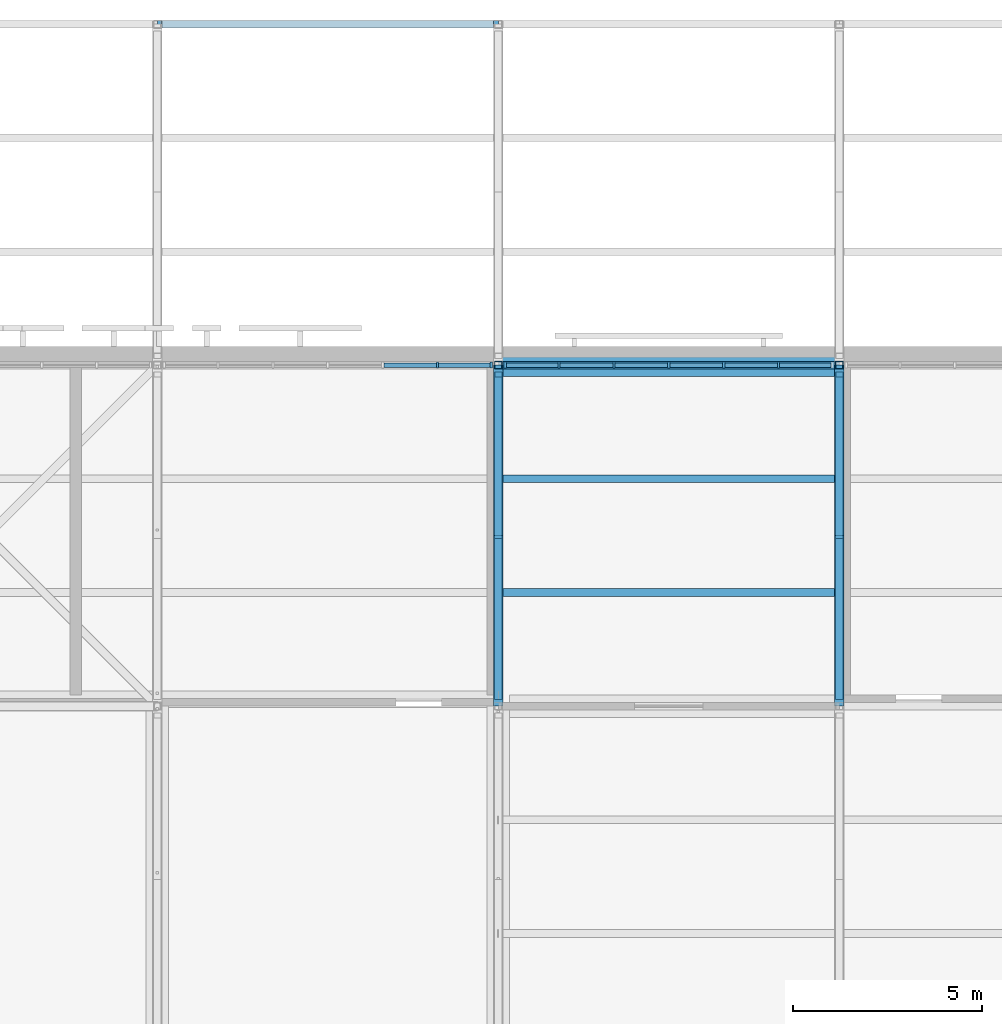
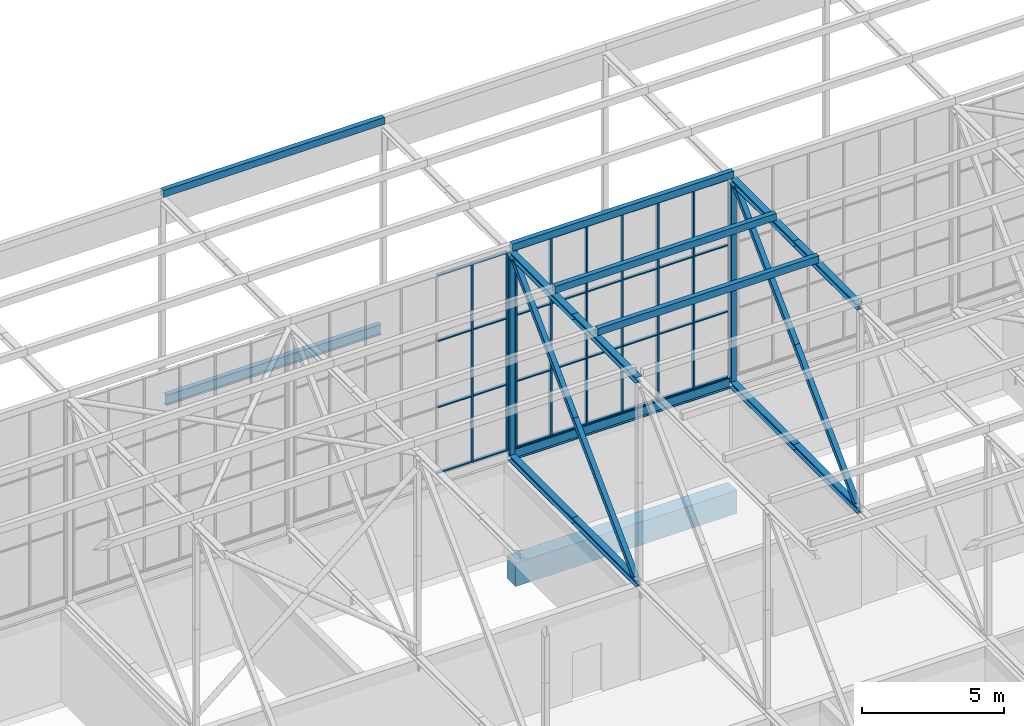
# One storey, part 131 of 646: 60 members, 3 beams, 2 elements without a shape of their own.
"""IFC4 building model written with IfcOpenShell, lengths in metres."""

from ifc_helpers import new_model, si_unit, direction, frame, origin, origin_2d, place, context, subcontext, project, spatial, rectangle, hollow_rectangle, i_section, extrude, material, material_profile, profile_set, type_object, element, aggregate, save


model = new_model("IFC4")

# Units and contexts
model_context = context("Model", 3, precision=1e-05, world=origin(), true_north=direction((0.0, 1.0)))
body_context = subcontext(model_context, "Body", "Model", "MODEL_VIEW")
ifc_project = project(units=[si_unit("LENGTHUNIT", "METRE"), si_unit("AREAUNIT", "SQUARE_METRE"), si_unit("VOLUMEUNIT", "CUBIC_METRE"), si_unit("PLANEANGLEUNIT", "RADIAN"), si_unit("MASSUNIT", "GRAM", prefix="KILO")], contexts=[model_context])

# Site, building, storey
site_placement = place(None, origin())
site = spatial("IfcSite", under=ifc_project, at=site_placement, CompositionType="ELEMENT")
building_placement = place(site_placement, origin())
building = spatial("IfcBuilding", under=site, at=building_placement, Name="Silverbay Arena", CompositionType="ELEMENT")
storey_placement = place(building_placement, frame((0.0, 0.0, 33.5)))
storey = spatial("IfcBuildingStorey", under=building, at=storey_placement, Name="L05", CompositionType="ELEMENT", Elevation=33.5)

# Members
ifc_material_1 = material(Name="Steel S355", Category="steel")
ifc_material_profile_1 = material_profile(ifc_material_1, i_section(OverallWidth=0.254638671875, OverallDepth=0.254150390625, WebThickness=0.008544921875, FlangeThickness=0.01416015625, at=origin_2d()), Name="UC 254x254x73")
ifc_profile_set_1 = profile_set([ifc_material_profile_1], Name="Steel S355")
member_type_1 = type_object("IfcMemberType", Name="Long-span bottom chord UC 254x254x73", PredefinedType="CHORD", material=ifc_profile_set_1)
for number, where, z_axis, x_axis, name in (
    (1, (180.0, 135.0, 4.126953125), (0.0, 1.0, 0.0), (-1.0, 0.0, 0.0), "ROOF TRUSS 21 bottom chord 15a"),
    (2, (180.0, 139.5, 4.126953125), (0.0, 1.0, 0.0), (-1.0, 0.0, 0.0), "ROOF TRUSS 21 bottom chord 15b"),
):
    element("IfcMember", number, at=place(storey_placement, frame(where, z_axis=z_axis, x_axis=x_axis)), inside=storey, type_object=member_type_1, Name=name, PredefinedType="CHORD", context=body_context, shape_type="SweptSolid", body=[
        extrude(i_section(OverallWidth=0.254638671875, OverallDepth=0.254150390625, WebThickness=0.008544921875, FlangeThickness=0.01416015625, at=origin_2d()), origin(), (0.0, 0.0, 1.0), 4.5),
    ])
ifc_material_2 = material(Name="Steel S355", Category="steel")
ifc_material_profile_2 = material_profile(ifc_material_2, i_section(OverallWidth=0.254638671875, OverallDepth=0.254150390625, WebThickness=0.008544921875, FlangeThickness=0.01416015625, at=origin_2d()), Name="UC 254x254x73")
ifc_profile_set_2 = profile_set([ifc_material_profile_2], Name="Steel S355")
member_type_2 = type_object("IfcMemberType", Name="Long-span top chord UC 254x254x73", PredefinedType="CHORD", material=ifc_profile_set_2)
for number, where, z_axis, x_axis, name in (
    (3, (180.0, 135.0, 12.873046875), (0.0, 1.0, 0.0), (-1.0, 0.0, 0.0), "ROOF TRUSS 21 top chord 15a"),
    (4, (180.0, 139.5, 12.873046875), (0.0, 1.0, 0.0), (-1.0, 0.0, 0.0), "ROOF TRUSS 21 top chord 15b"),
):
    element("IfcMember", number, at=place(storey_placement, frame(where, z_axis=z_axis, x_axis=x_axis)), inside=storey, type_object=member_type_2, Name=name, PredefinedType="CHORD", context=body_context, shape_type="SweptSolid", body=[
        extrude(i_section(OverallWidth=0.254638671875, OverallDepth=0.254150390625, WebThickness=0.008544921875, FlangeThickness=0.01416015625, at=origin_2d()), origin(), (0.0, 0.0, 1.0), 4.5),
    ])
ifc_material_3 = material(Name="Steel S355", Category="steel")
ifc_material_profile_3 = material_profile(ifc_material_3, hollow_rectangle(XDim=0.199951171875, YDim=0.199951171875, WallThickness=0.008056640625, at=origin_2d()), Name="SHS 200x200x8")
ifc_profile_set_3 = profile_set([ifc_material_profile_3], Name="Steel S355")
member_type_3 = type_object("IfcMemberType", Name="Long-span truss diagonal SHS 200x200x8", PredefinedType="BRACE", material=ifc_profile_set_3)
for number, where, z_axis, x_axis, name in (
    (5, (180.0, 143.75439453125, 12.745849609375), (0.0, -0.70781724692, -0.706395600894), (1.0, 0.0, 0.0), "ROOF TRUSS 21 diagonal 15a"),
    (6, (180.0, 139.5, 8.5), (0.0, -0.70781724692, -0.706395600894), (1.0, 0.0, 0.0), "ROOF TRUSS 21 diagonal 15b"),
):
    element("IfcMember", number, at=place(storey_placement, frame(where, z_axis=z_axis, x_axis=x_axis)), inside=storey, type_object=member_type_3, Name=name, PredefinedType="BRACE", context=body_context, shape_type="SweptSolid", body=[
        extrude(hollow_rectangle(XDim=0.199951171875, YDim=0.199951171875, WallThickness=0.008056640625, at=origin_2d()), origin(), (0.0, 0.0, 1.0), 6.010498046875),
    ])
ifc_material_4 = material(Name="Steel S355", Category="steel")
ifc_material_profile_4 = material_profile(ifc_material_4, hollow_rectangle(XDim=0.199951171875, YDim=0.199951171875, WallThickness=0.008056640625, at=origin_2d()), Name="SHS 200x200x8")
ifc_profile_set_4 = profile_set([ifc_material_profile_4], Name="Steel S355")
member_type_4 = type_object("IfcMemberType", Name="Long-span truss vertical SHS 200x200x8", PredefinedType="STRUT", material=ifc_profile_set_4)
for number, where, z_axis, x_axis, name in (
    (7, (180.0, 144.0, 4.254150390625), (0.0, 0.0, 1.0), (1.0, 0.0, 0.0), "ROOF TRUSS 21 vertical 16a"),
    (8, (180.0, 144.0, 8.5), (0.0, 0.0, 1.0), (1.0, 0.0, 0.0), "ROOF TRUSS 21 vertical 16b"),
):
    element("IfcMember", number, at=place(storey_placement, frame(where, z_axis=z_axis, x_axis=x_axis)), inside=storey, type_object=member_type_4, Name=name, PredefinedType="STRUT", context=body_context, shape_type="SweptSolid", body=[
        extrude(hollow_rectangle(XDim=0.199951171875, YDim=0.199951171875, WallThickness=0.008056640625, at=origin_2d()), origin(), (0.0, 0.0, 1.0), 4.245849609375),
    ])
ifc_material_5 = material(Name="Steel S355", Category="steel")
ifc_material_profile_5 = material_profile(ifc_material_5, i_section(OverallWidth=0.254638671875, OverallDepth=0.254150390625, WebThickness=0.008544921875, FlangeThickness=0.01416015625, at=origin_2d()), Name="UC 254x254x73")
ifc_profile_set_5 = profile_set([ifc_material_profile_5], Name="Steel S355")
member_type_5 = type_object("IfcMemberType", Name="Medium-span bottom chord UC 254x254x73", PredefinedType="CHORD", material=ifc_profile_set_5)
for number, where, z_axis, x_axis, name in (
    (9, (189.0, 135.0, 4.126953125), (0.0, 1.0, 0.0), (-1.0, 0.0, 0.0), "ROOF TRUSS 22 bottom chord 15a"),
    (10, (189.0, 139.5, 4.126953125), (0.0, 1.0, 0.0), (-1.0, 0.0, 0.0), "ROOF TRUSS 22 bottom chord 15b"),
):
    element("IfcMember", number, at=place(storey_placement, frame(where, z_axis=z_axis, x_axis=x_axis)), inside=storey, type_object=member_type_5, Name=name, PredefinedType="CHORD", context=body_context, shape_type="SweptSolid", body=[
        extrude(i_section(OverallWidth=0.254638671875, OverallDepth=0.254150390625, WebThickness=0.008544921875, FlangeThickness=0.01416015625, at=origin_2d()), origin(), (0.0, 0.0, 1.0), 4.5),
    ])
ifc_material_6 = material(Name="Steel S355", Category="steel")
ifc_material_profile_6 = material_profile(ifc_material_6, i_section(OverallWidth=0.254638671875, OverallDepth=0.254150390625, WebThickness=0.008544921875, FlangeThickness=0.01416015625, at=origin_2d()), Name="UC 254x254x73")
ifc_profile_set_6 = profile_set([ifc_material_profile_6], Name="Steel S355")
member_type_6 = type_object("IfcMemberType", Name="Medium-span top chord UC 254x254x73", PredefinedType="CHORD", material=ifc_profile_set_6)
for number, where, z_axis, x_axis, name in (
    (11, (189.0, 135.0, 12.873046875), (0.0, 1.0, 0.0), (-1.0, 0.0, 0.0), "ROOF TRUSS 22 top chord 15a"),
    (12, (189.0, 139.5, 12.873046875), (0.0, 1.0, 0.0), (-1.0, 0.0, 0.0), "ROOF TRUSS 22 top chord 15b"),
):
    element("IfcMember", number, at=place(storey_placement, frame(where, z_axis=z_axis, x_axis=x_axis)), inside=storey, type_object=member_type_6, Name=name, PredefinedType="CHORD", context=body_context, shape_type="SweptSolid", body=[
        extrude(i_section(OverallWidth=0.254638671875, OverallDepth=0.254150390625, WebThickness=0.008544921875, FlangeThickness=0.01416015625, at=origin_2d()), origin(), (0.0, 0.0, 1.0), 4.5),
    ])
ifc_material_7 = material(Name="Steel S355", Category="steel")
ifc_material_profile_7 = material_profile(ifc_material_7, hollow_rectangle(XDim=0.199951171875, YDim=0.199951171875, WallThickness=0.008056640625, at=origin_2d()), Name="SHS 200x200x8")
ifc_profile_set_7 = profile_set([ifc_material_profile_7], Name="Steel S355")
member_type_7 = type_object("IfcMemberType", Name="Medium-span truss diagonal SHS 200x200x8", PredefinedType="BRACE", material=ifc_profile_set_7)
for number, where, z_axis, x_axis, name in (
    (13, (189.0, 143.75439453125, 12.745849609375), (0.0, -0.70781724692, -0.706395600894), (1.0, 0.0, 0.0), "ROOF TRUSS 22 diagonal 15a"),
    (14, (189.0, 139.5, 8.5), (0.0, -0.70781724692, -0.706395600894), (1.0, 0.0, 0.0), "ROOF TRUSS 22 diagonal 15b"),
):
    element("IfcMember", number, at=place(storey_placement, frame(where, z_axis=z_axis, x_axis=x_axis)), inside=storey, type_object=member_type_7, Name=name, PredefinedType="BRACE", context=body_context, shape_type="SweptSolid", body=[
        extrude(hollow_rectangle(XDim=0.199951171875, YDim=0.199951171875, WallThickness=0.008056640625, at=origin_2d()), origin(), (0.0, 0.0, 1.0), 6.010498046875),
    ])
ifc_material_8 = material(Name="Steel S355", Category="steel")
ifc_material_profile_8 = material_profile(ifc_material_8, hollow_rectangle(XDim=0.199951171875, YDim=0.199951171875, WallThickness=0.008056640625, at=origin_2d()), Name="SHS 200x200x8")
ifc_profile_set_8 = profile_set([ifc_material_profile_8], Name="Steel S355")
member_type_8 = type_object("IfcMemberType", Name="Medium-span truss vertical SHS 200x200x8", PredefinedType="STRUT", material=ifc_profile_set_8)
for number, where, z_axis, x_axis, name in (
    (15, (189.0, 144.0, 4.254150390625), (0.0, 0.0, 1.0), (1.0, 0.0, 0.0), "ROOF TRUSS 22 vertical 16a"),
    (16, (189.0, 144.0, 8.5), (0.0, 0.0, 1.0), (1.0, 0.0, 0.0), "ROOF TRUSS 22 vertical 16b"),
):
    element("IfcMember", number, at=place(storey_placement, frame(where, z_axis=z_axis, x_axis=x_axis)), inside=storey, type_object=member_type_8, Name=name, PredefinedType="STRUT", context=body_context, shape_type="SweptSolid", body=[
        extrude(hollow_rectangle(XDim=0.199951171875, YDim=0.199951171875, WallThickness=0.008056640625, at=origin_2d()), origin(), (0.0, 0.0, 1.0), 4.245849609375),
    ])

# Curtain wall, members
ifc_material_9 = material(Name="Aluminium framed glazing", Category="aluminium")
curtain_wall_type = type_object("IfcCurtainWallType", Name="Curtain wall clerestory 8693 x 8540", PredefinedType="NOTDEFINED", material=ifc_material_9)
curtain_wall_1_placement = place(storey_placement, origin())
curtain_wall_1 = element("IfcCurtainWall", 17, at=curtain_wall_1_placement, inside=storey, type_object=curtain_wall_type, Name="ROOF CLERESTORY CURTAIN WALL north bay 14", PredefinedType="NOTDEFINED")
ifc_material_10 = material(Name="Aluminium", Category="aluminium")
ifc_material_profile_9 = material_profile(ifc_material_10, rectangle(XDim=0.159912109375, YDim=0.06005859375, at=origin_2d()), Name="Mullion 60 x 160")
ifc_profile_set_9 = profile_set([ifc_material_profile_9], Name="Aluminium")
member_type_9 = type_object("IfcMemberType", Name="Mullion 60 x 160", PredefinedType="MULLION", material=ifc_profile_set_9)
member_1_placement = place(storey_placement, frame((178.3974609375, 144.0, 4.4599609375), z_axis=(0.0, 0.0, 1.0), x_axis=(0.0, 1.0, 0.0)))
member_1 = element("IfcMember", 18, at=member_1_placement, type_object=member_type_9, Name="CW55 mullion 6", PredefinedType="MULLION", context=body_context, shape_type="SweptSolid", body=[
    extrude(rectangle(XDim=0.159912109375, YDim=0.06005859375, at=origin_2d()), origin(), (0.0, 0.0, 1.0), 8.5400390625),
])
member_2_placement = place(storey_placement, frame((179.81640625, 144.0, 4.4599609375), z_axis=(0.0, 0.0, 1.0), x_axis=(0.0, 1.0, 0.0)))
member_2 = element("IfcMember", 19, at=member_2_placement, type_object=member_type_9, Name="CW55 mullion 7", PredefinedType="MULLION", context=body_context, shape_type="SweptSolid", body=[
    extrude(rectangle(XDim=0.159912109375, YDim=0.06005859375, at=origin_2d()), origin(), (0.0, 0.0, 1.0), 8.5400390625),
])

curtain_wall_2_placement = place(storey_placement, origin())
curtain_wall_2 = element("IfcCurtainWall", 20, at=curtain_wall_2_placement, inside=storey, type_object=curtain_wall_type, Name="ROOF CLERESTORY CURTAIN WALL north bay 15", PredefinedType="NOTDEFINED")
member_3_placement = place(storey_placement, frame((180.18359375, 144.0, 4.4599609375), z_axis=(0.0, 0.0, 1.0), x_axis=(0.0, 1.0, 0.0)))
member_3 = element("IfcMember", 21, at=member_3_placement, type_object=member_type_9, Name="CW55 mullion 1", PredefinedType="MULLION", context=body_context, shape_type="SweptSolid", body=[
    extrude(rectangle(XDim=0.159912109375, YDim=0.06005859375, at=origin_2d()), origin(), (0.0, 0.0, 1.0), 8.5400390625),
])
member_4_placement = place(storey_placement, frame((181.6025390625, 144.0, 4.4599609375), z_axis=(0.0, 0.0, 1.0), x_axis=(0.0, 1.0, 0.0)))
member_4 = element("IfcMember", 22, at=member_4_placement, type_object=member_type_9, Name="CW55 mullion 2", PredefinedType="MULLION", context=body_context, shape_type="SweptSolid", body=[
    extrude(rectangle(XDim=0.159912109375, YDim=0.06005859375, at=origin_2d()), origin(), (0.0, 0.0, 1.0), 8.5400390625),
])
member_5_placement = place(storey_placement, frame((183.05126953125, 144.0, 4.4599609375), z_axis=(0.0, 0.0, 1.0), x_axis=(0.0, 1.0, 0.0)))
member_5 = element("IfcMember", 23, at=member_5_placement, type_object=member_type_9, Name="CW55 mullion 3", PredefinedType="MULLION", context=body_context, shape_type="SweptSolid", body=[
    extrude(rectangle(XDim=0.159912109375, YDim=0.06005859375, at=origin_2d()), origin(), (0.0, 0.0, 1.0), 8.5400390625),
])
member_6_placement = place(storey_placement, frame((184.5, 144.0, 4.4599609375), z_axis=(0.0, 0.0, 1.0), x_axis=(0.0, 1.0, 0.0)))
member_6 = element("IfcMember", 24, at=member_6_placement, type_object=member_type_9, Name="CW55 mullion 4", PredefinedType="MULLION", context=body_context, shape_type="SweptSolid", body=[
    extrude(rectangle(XDim=0.159912109375, YDim=0.06005859375, at=origin_2d()), origin(), (0.0, 0.0, 1.0), 8.5400390625),
])
member_7_placement = place(storey_placement, frame((185.94873046875, 144.0, 4.4599609375), z_axis=(0.0, 0.0, 1.0), x_axis=(0.0, 1.0, 0.0)))
member_7 = element("IfcMember", 25, at=member_7_placement, type_object=member_type_9, Name="CW55 mullion 5", PredefinedType="MULLION", context=body_context, shape_type="SweptSolid", body=[
    extrude(rectangle(XDim=0.159912109375, YDim=0.06005859375, at=origin_2d()), origin(), (0.0, 0.0, 1.0), 8.5400390625),
])
member_8_placement = place(storey_placement, frame((187.3974609375, 144.0, 4.4599609375), z_axis=(0.0, 0.0, 1.0), x_axis=(0.0, 1.0, 0.0)))
member_8 = element("IfcMember", 26, at=member_8_placement, type_object=member_type_9, Name="CW55 mullion 6", PredefinedType="MULLION", context=body_context, shape_type="SweptSolid", body=[
    extrude(rectangle(XDim=0.159912109375, YDim=0.06005859375, at=origin_2d()), origin(), (0.0, 0.0, 1.0), 8.5400390625),
])

# Members
ifc_material_11 = material(Name="Steel S355", Category="steel")
ifc_material_profile_10 = material_profile(ifc_material_11, hollow_rectangle(XDim=0.199951171875, YDim=0.300048828125, WallThickness=0.00634765625, at=origin_2d()), Name="RHS 300x200x6.3")
ifc_profile_set_10 = profile_set([ifc_material_profile_10], Name="Steel S355")
member_type_10 = type_object("IfcMemberType", Name="Purlin RHS 300x200x6.3", PredefinedType="PURLIN", material=ifc_profile_set_10)
member_9_placement = place(storey_placement, frame((180.0, 138.0, 13.14990234375), z_axis=(1.0, 0.0, 0.0), x_axis=(0.0, 1.0, 0.0)))
element("IfcMember", 27, at=member_9_placement, inside=storey, type_object=member_type_10, Name="ROOF PURLIN 21-22 line 44", PredefinedType="PURLIN", context=body_context, shape_type="SweptSolid", body=[
    extrude(hollow_rectangle(XDim=0.199951171875, YDim=0.300048828125, WallThickness=0.00634765625, at=origin_2d()), origin(), (0.0, 0.0, 1.0), 9.0),
])
ifc_material_12 = material(Name="Steel S355", Category="steel")
ifc_material_profile_11 = material_profile(ifc_material_12, hollow_rectangle(XDim=0.199951171875, YDim=0.300048828125, WallThickness=0.008056640625, at=origin_2d()), Name="RHS 300x200x8")
ifc_profile_set_11 = profile_set([ifc_material_profile_11], Name="Steel S355")
member_type_11 = type_object("IfcMemberType", Name="Purlin RHS 300x200x8", PredefinedType="PURLIN", material=ifc_profile_set_11)
for number, where, z_axis, x_axis, name in (
    (28, (171.0, 153.0, 13.14990234375), (1.0, 0.0, 0.0), (0.0, 1.0, 0.0), "ROOF PURLIN 20-21 line 49"),
    (29, (180.0, 141.0, 13.14990234375), (1.0, 0.0, 0.0), (0.0, 1.0, 0.0), "ROOF PURLIN 21-22 line 45"),
    (30, (180.0, 144.0, 13.14990234375), (1.0, 0.0, 0.0), (0.0, 1.0, 0.0), "ROOF PURLIN 21-22 line 46"),
):
    element("IfcMember", number, at=place(storey_placement, frame(where, z_axis=z_axis, x_axis=x_axis)), inside=storey, type_object=member_type_11, Name=name, PredefinedType="PURLIN", context=body_context, shape_type="SweptSolid", body=[
        extrude(hollow_rectangle(XDim=0.199951171875, YDim=0.300048828125, WallThickness=0.008056640625, at=origin_2d()), origin(), (0.0, 0.0, 1.0), 9.0),
    ])

# Beams
ifc_material_13 = material(Name="Concrete Grade C45", Category="concrete")
ifc_material_profile_12 = material_profile(ifc_material_13, rectangle(XDim=0.60009765625, YDim=1.0, at=origin_2d()), Name="RC 600x1000")
ifc_profile_set_12 = profile_set([ifc_material_profile_12], Name="Concrete Grade C45")
beam_type_1 = type_object("IfcBeamType", Name="RC beam 600x1000", PredefinedType="BEAM", material=ifc_profile_set_12)
beam_1_placement = place(storey_placement, frame((180.0, 144.0, -0.800048828125), z_axis=(1.0, 0.0, 0.0), x_axis=(0.0, 1.0, 0.0)))
element("IfcBeam", 31, at=beam_1_placement, inside=storey, type_object=beam_type_1, Name="Floor beam L05 070", PredefinedType="BEAM", context=body_context, shape_type="SweptSolid", body=[
    extrude(rectangle(XDim=0.60009765625, YDim=1.0, at=origin_2d()), origin(), (0.0, 0.0, 1.0), 9.0),
])
ifc_material_14 = material(Name="Steel S355", Category="steel")
ifc_material_profile_13 = material_profile(ifc_material_14, i_section(OverallWidth=0.18994140625, OverallDepth=0.453369140625, WebThickness=0.008544921875, FlangeThickness=0.0126953125, at=origin_2d()), Name="UB 457x191x67")
ifc_profile_set_13 = profile_set([ifc_material_profile_13], Name="Steel S355")
beam_type_2 = type_object("IfcBeamType", Name="Ring beam UB 457x191x67", PredefinedType="BEAM", material=ifc_profile_set_13)
beam_2_placement = place(storey_placement, frame((171.127197265625, 153.0, 4.226806640625), z_axis=(1.0, 0.0, 0.0), x_axis=(0.0, 1.0, 0.0)))
element("IfcBeam", 32, at=beam_2_placement, inside=storey, type_object=beam_type_2, Name="RING BEAM north edge 20-21", PredefinedType="BEAM", context=body_context, shape_type="SweptSolid", body=[
    extrude(i_section(OverallWidth=0.18994140625, OverallDepth=0.453369140625, WebThickness=0.008544921875, FlangeThickness=0.0126953125, at=origin_2d()), origin(), (0.0, 0.0, 1.0), 8.74560546875),
])
ifc_material_15 = material(Name="Steel S355", Category="steel")
ifc_material_profile_14 = material_profile(ifc_material_15, i_section(OverallWidth=0.19140625, OverallDepth=0.4599609375, WebThickness=0.010009765625, FlangeThickness=0.01611328125, at=origin_2d()), Name="UB 457x191x82")
ifc_profile_set_14 = profile_set([ifc_material_profile_14], Name="Steel S355")
beam_type_3 = type_object("IfcBeamType", Name="Ring beam UB 457x191x82", PredefinedType="BEAM", material=ifc_profile_set_14)
beam_3_placement = place(storey_placement, frame((180.127197265625, 144.0, 4.22998046875), z_axis=(1.0, 0.0, 0.0), x_axis=(0.0, 1.0, 0.0)))
element("IfcBeam", 33, at=beam_3_placement, inside=storey, type_object=beam_type_3, Name="RING BEAM north facade 21-22", PredefinedType="BEAM", context=body_context, shape_type="SweptSolid", body=[
    extrude(i_section(OverallWidth=0.19140625, OverallDepth=0.4599609375, WebThickness=0.010009765625, FlangeThickness=0.01611328125, at=origin_2d()), origin(), (0.0, 0.0, 1.0), 8.74560546875),
])

# Member
ifc_material_16 = material(Name="Aluminium", Category="aluminium")
ifc_material_profile_15 = material_profile(ifc_material_16, rectangle(XDim=0.1201171875, YDim=0.050048828125, at=origin_2d()), Name="Transom 50 x 120")
ifc_profile_set_15 = profile_set([ifc_material_profile_15], Name="Aluminium")
member_type_12 = type_object("IfcMemberType", Name="Transom 50 x 120", PredefinedType="USERDEFINED", material=ifc_profile_set_15)
member_10_placement = place(storey_placement, frame((176.978759765625, 144.0, 4.485107421875), z_axis=(1.0, 0.0, 0.0), x_axis=(0.0, 1.0, 0.0)))
member_10 = element("IfcMember", 34, at=member_10_placement, type_object=member_type_12, Name="CW55 transom 5.1", ObjectType="TRANSOM", PredefinedType="USERDEFINED", context=body_context, shape_type="SweptSolid", body=[
    extrude(rectangle(XDim=0.1201171875, YDim=0.050048828125, at=origin_2d()), origin(), (0.0, 0.0, 1.0), 1.388671875),
])

member_11_placement = place(storey_placement, frame((176.978759765625, 144.0, 7.306640625), z_axis=(1.0, 0.0, 0.0), x_axis=(0.0, 1.0, 0.0)))
member_11 = element("IfcMember", 35, at=member_11_placement, type_object=member_type_12, Name="CW55 transom 5.2", ObjectType="TRANSOM", PredefinedType="USERDEFINED", context=body_context, shape_type="SweptSolid", body=[
    extrude(rectangle(XDim=0.1201171875, YDim=0.050048828125, at=origin_2d()), origin(), (0.0, 0.0, 1.0), 1.388671875),
])

member_12_placement = place(storey_placement, frame((176.978759765625, 144.0, 10.1533203125), z_axis=(1.0, 0.0, 0.0), x_axis=(0.0, 1.0, 0.0)))
member_12 = element("IfcMember", 36, at=member_12_placement, type_object=member_type_12, Name="CW55 transom 5.3", ObjectType="TRANSOM", PredefinedType="USERDEFINED", context=body_context, shape_type="SweptSolid", body=[
    extrude(rectangle(XDim=0.1201171875, YDim=0.050048828125, at=origin_2d()), origin(), (0.0, 0.0, 1.0), 1.388671875),
])

member_13_placement = place(storey_placement, frame((176.978759765625, 144.0, 12.97509765625), z_axis=(1.0, 0.0, 0.0), x_axis=(0.0, 1.0, 0.0)))
member_13 = element("IfcMember", 37, at=member_13_placement, type_object=member_type_12, Name="CW55 transom 5.4", ObjectType="TRANSOM", PredefinedType="USERDEFINED", context=body_context, shape_type="SweptSolid", body=[
    extrude(rectangle(XDim=0.1201171875, YDim=0.050048828125, at=origin_2d()), origin(), (0.0, 0.0, 1.0), 1.388671875),
])

member_14_placement = place(storey_placement, frame((178.427490234375, 144.0, 4.485107421875), z_axis=(1.0, 0.0, 0.0), x_axis=(0.0, 1.0, 0.0)))
member_14 = element("IfcMember", 38, at=member_14_placement, type_object=member_type_12, Name="CW55 transom 6.1", ObjectType="TRANSOM", PredefinedType="USERDEFINED", context=body_context, shape_type="SweptSolid", body=[
    extrude(rectangle(XDim=0.1201171875, YDim=0.050048828125, at=origin_2d()), origin(), (0.0, 0.0, 1.0), 1.35888671875),
])

member_15_placement = place(storey_placement, frame((178.427490234375, 144.0, 7.306640625), z_axis=(1.0, 0.0, 0.0), x_axis=(0.0, 1.0, 0.0)))
member_15 = element("IfcMember", 39, at=member_15_placement, type_object=member_type_12, Name="CW55 transom 6.2", ObjectType="TRANSOM", PredefinedType="USERDEFINED", context=body_context, shape_type="SweptSolid", body=[
    extrude(rectangle(XDim=0.1201171875, YDim=0.050048828125, at=origin_2d()), origin(), (0.0, 0.0, 1.0), 1.35888671875),
])

member_16_placement = place(storey_placement, frame((178.427490234375, 144.0, 10.1533203125), z_axis=(1.0, 0.0, 0.0), x_axis=(0.0, 1.0, 0.0)))
member_16 = element("IfcMember", 40, at=member_16_placement, type_object=member_type_12, Name="CW55 transom 6.3", ObjectType="TRANSOM", PredefinedType="USERDEFINED", context=body_context, shape_type="SweptSolid", body=[
    extrude(rectangle(XDim=0.1201171875, YDim=0.050048828125, at=origin_2d()), origin(), (0.0, 0.0, 1.0), 1.35888671875),
])

member_17_placement = place(storey_placement, frame((178.427490234375, 144.0, 12.97509765625), z_axis=(1.0, 0.0, 0.0), x_axis=(0.0, 1.0, 0.0)))
member_17 = element("IfcMember", 41, at=member_17_placement, type_object=member_type_12, Name="CW55 transom 6.4", ObjectType="TRANSOM", PredefinedType="USERDEFINED", context=body_context, shape_type="SweptSolid", body=[
    extrude(rectangle(XDim=0.1201171875, YDim=0.050048828125, at=origin_2d()), origin(), (0.0, 0.0, 1.0), 1.35888671875),
])

aggregate(curtain_wall_1, [member_1, member_2, member_10, member_11, member_12, member_13, member_14, member_15, member_16, member_17])

member_18_placement = place(storey_placement, frame((180.213623046875, 144.0, 4.485107421875), z_axis=(1.0, 0.0, 0.0), x_axis=(0.0, 1.0, 0.0)))
member_18 = element("IfcMember", 42, at=member_18_placement, type_object=member_type_12, Name="CW55 transom 1.1", ObjectType="TRANSOM", PredefinedType="USERDEFINED", context=body_context, shape_type="SweptSolid", body=[
    extrude(rectangle(XDim=0.1201171875, YDim=0.050048828125, at=origin_2d()), origin(), (0.0, 0.0, 1.0), 1.35888671875),
])

member_19_placement = place(storey_placement, frame((180.213623046875, 144.0, 7.306640625), z_axis=(1.0, 0.0, 0.0), x_axis=(0.0, 1.0, 0.0)))
member_19 = element("IfcMember", 43, at=member_19_placement, type_object=member_type_12, Name="CW55 transom 1.2", ObjectType="TRANSOM", PredefinedType="USERDEFINED", context=body_context, shape_type="SweptSolid", body=[
    extrude(rectangle(XDim=0.1201171875, YDim=0.050048828125, at=origin_2d()), origin(), (0.0, 0.0, 1.0), 1.35888671875),
])

member_20_placement = place(storey_placement, frame((180.213623046875, 144.0, 10.1533203125), z_axis=(1.0, 0.0, 0.0), x_axis=(0.0, 1.0, 0.0)))
member_20 = element("IfcMember", 44, at=member_20_placement, type_object=member_type_12, Name="CW55 transom 1.3", ObjectType="TRANSOM", PredefinedType="USERDEFINED", context=body_context, shape_type="SweptSolid", body=[
    extrude(rectangle(XDim=0.1201171875, YDim=0.050048828125, at=origin_2d()), origin(), (0.0, 0.0, 1.0), 1.35888671875),
])

member_21_placement = place(storey_placement, frame((180.213623046875, 144.0, 12.97509765625), z_axis=(1.0, 0.0, 0.0), x_axis=(0.0, 1.0, 0.0)))
member_21 = element("IfcMember", 45, at=member_21_placement, type_object=member_type_12, Name="CW55 transom 1.4", ObjectType="TRANSOM", PredefinedType="USERDEFINED", context=body_context, shape_type="SweptSolid", body=[
    extrude(rectangle(XDim=0.1201171875, YDim=0.050048828125, at=origin_2d()), origin(), (0.0, 0.0, 1.0), 1.35888671875),
])

member_22_placement = place(storey_placement, frame((181.632568359375, 144.0, 4.485107421875), z_axis=(1.0, 0.0, 0.0), x_axis=(0.0, 1.0, 0.0)))
member_22 = element("IfcMember", 46, at=member_22_placement, type_object=member_type_12, Name="CW55 transom 2.1", ObjectType="TRANSOM", PredefinedType="USERDEFINED", context=body_context, shape_type="SweptSolid", body=[
    extrude(rectangle(XDim=0.1201171875, YDim=0.050048828125, at=origin_2d()), origin(), (0.0, 0.0, 1.0), 1.388671875),
])

member_23_placement = place(storey_placement, frame((181.632568359375, 144.0, 7.306640625), z_axis=(1.0, 0.0, 0.0), x_axis=(0.0, 1.0, 0.0)))
member_23 = element("IfcMember", 47, at=member_23_placement, type_object=member_type_12, Name="CW55 transom 2.2", ObjectType="TRANSOM", PredefinedType="USERDEFINED", context=body_context, shape_type="SweptSolid", body=[
    extrude(rectangle(XDim=0.1201171875, YDim=0.050048828125, at=origin_2d()), origin(), (0.0, 0.0, 1.0), 1.388671875),
])

member_24_placement = place(storey_placement, frame((181.632568359375, 144.0, 10.1533203125), z_axis=(1.0, 0.0, 0.0), x_axis=(0.0, 1.0, 0.0)))
member_24 = element("IfcMember", 48, at=member_24_placement, type_object=member_type_12, Name="CW55 transom 2.3", ObjectType="TRANSOM", PredefinedType="USERDEFINED", context=body_context, shape_type="SweptSolid", body=[
    extrude(rectangle(XDim=0.1201171875, YDim=0.050048828125, at=origin_2d()), origin(), (0.0, 0.0, 1.0), 1.388671875),
])

member_25_placement = place(storey_placement, frame((181.632568359375, 144.0, 12.97509765625), z_axis=(1.0, 0.0, 0.0), x_axis=(0.0, 1.0, 0.0)))
member_25 = element("IfcMember", 49, at=member_25_placement, type_object=member_type_12, Name="CW55 transom 2.4", ObjectType="TRANSOM", PredefinedType="USERDEFINED", context=body_context, shape_type="SweptSolid", body=[
    extrude(rectangle(XDim=0.1201171875, YDim=0.050048828125, at=origin_2d()), origin(), (0.0, 0.0, 1.0), 1.388671875),
])

member_26_placement = place(storey_placement, frame((183.081298828125, 144.0, 4.485107421875), z_axis=(1.0, 0.0, 0.0), x_axis=(0.0, 1.0, 0.0)))
member_26 = element("IfcMember", 50, at=member_26_placement, type_object=member_type_12, Name="CW55 transom 3.1", ObjectType="TRANSOM", PredefinedType="USERDEFINED", context=body_context, shape_type="SweptSolid", body=[
    extrude(rectangle(XDim=0.1201171875, YDim=0.050048828125, at=origin_2d()), origin(), (0.0, 0.0, 1.0), 1.388671875),
])

member_27_placement = place(storey_placement, frame((183.081298828125, 144.0, 7.306640625), z_axis=(1.0, 0.0, 0.0), x_axis=(0.0, 1.0, 0.0)))
member_27 = element("IfcMember", 51, at=member_27_placement, type_object=member_type_12, Name="CW55 transom 3.2", ObjectType="TRANSOM", PredefinedType="USERDEFINED", context=body_context, shape_type="SweptSolid", body=[
    extrude(rectangle(XDim=0.1201171875, YDim=0.050048828125, at=origin_2d()), origin(), (0.0, 0.0, 1.0), 1.388671875),
])

member_28_placement = place(storey_placement, frame((183.081298828125, 144.0, 10.1533203125), z_axis=(1.0, 0.0, 0.0), x_axis=(0.0, 1.0, 0.0)))
member_28 = element("IfcMember", 52, at=member_28_placement, type_object=member_type_12, Name="CW55 transom 3.3", ObjectType="TRANSOM", PredefinedType="USERDEFINED", context=body_context, shape_type="SweptSolid", body=[
    extrude(rectangle(XDim=0.1201171875, YDim=0.050048828125, at=origin_2d()), origin(), (0.0, 0.0, 1.0), 1.388671875),
])

member_29_placement = place(storey_placement, frame((183.081298828125, 144.0, 12.97509765625), z_axis=(1.0, 0.0, 0.0), x_axis=(0.0, 1.0, 0.0)))
member_29 = element("IfcMember", 53, at=member_29_placement, type_object=member_type_12, Name="CW55 transom 3.4", ObjectType="TRANSOM", PredefinedType="USERDEFINED", context=body_context, shape_type="SweptSolid", body=[
    extrude(rectangle(XDim=0.1201171875, YDim=0.050048828125, at=origin_2d()), origin(), (0.0, 0.0, 1.0), 1.388671875),
])

member_30_placement = place(storey_placement, frame((184.530029296875, 144.0, 4.485107421875), z_axis=(1.0, 0.0, 0.0), x_axis=(0.0, 1.0, 0.0)))
member_30 = element("IfcMember", 54, at=member_30_placement, type_object=member_type_12, Name="CW55 transom 4.1", ObjectType="TRANSOM", PredefinedType="USERDEFINED", context=body_context, shape_type="SweptSolid", body=[
    extrude(rectangle(XDim=0.1201171875, YDim=0.050048828125, at=origin_2d()), origin(), (0.0, 0.0, 1.0), 1.388671875),
])

member_31_placement = place(storey_placement, frame((184.530029296875, 144.0, 7.306640625), z_axis=(1.0, 0.0, 0.0), x_axis=(0.0, 1.0, 0.0)))
member_31 = element("IfcMember", 55, at=member_31_placement, type_object=member_type_12, Name="CW55 transom 4.2", ObjectType="TRANSOM", PredefinedType="USERDEFINED", context=body_context, shape_type="SweptSolid", body=[
    extrude(rectangle(XDim=0.1201171875, YDim=0.050048828125, at=origin_2d()), origin(), (0.0, 0.0, 1.0), 1.388671875),
])

member_32_placement = place(storey_placement, frame((184.530029296875, 144.0, 10.1533203125), z_axis=(1.0, 0.0, 0.0), x_axis=(0.0, 1.0, 0.0)))
member_32 = element("IfcMember", 56, at=member_32_placement, type_object=member_type_12, Name="CW55 transom 4.3", ObjectType="TRANSOM", PredefinedType="USERDEFINED", context=body_context, shape_type="SweptSolid", body=[
    extrude(rectangle(XDim=0.1201171875, YDim=0.050048828125, at=origin_2d()), origin(), (0.0, 0.0, 1.0), 1.388671875),
])

member_33_placement = place(storey_placement, frame((184.530029296875, 144.0, 12.97509765625), z_axis=(1.0, 0.0, 0.0), x_axis=(0.0, 1.0, 0.0)))
member_33 = element("IfcMember", 57, at=member_33_placement, type_object=member_type_12, Name="CW55 transom 4.4", ObjectType="TRANSOM", PredefinedType="USERDEFINED", context=body_context, shape_type="SweptSolid", body=[
    extrude(rectangle(XDim=0.1201171875, YDim=0.050048828125, at=origin_2d()), origin(), (0.0, 0.0, 1.0), 1.388671875),
])

member_34_placement = place(storey_placement, frame((185.978759765625, 144.0, 4.485107421875), z_axis=(1.0, 0.0, 0.0), x_axis=(0.0, 1.0, 0.0)))
member_34 = element("IfcMember", 58, at=member_34_placement, type_object=member_type_12, Name="CW55 transom 5.1", ObjectType="TRANSOM", PredefinedType="USERDEFINED", context=body_context, shape_type="SweptSolid", body=[
    extrude(rectangle(XDim=0.1201171875, YDim=0.050048828125, at=origin_2d()), origin(), (0.0, 0.0, 1.0), 1.388671875),
])

member_35_placement = place(storey_placement, frame((185.978759765625, 144.0, 7.306640625), z_axis=(1.0, 0.0, 0.0), x_axis=(0.0, 1.0, 0.0)))
member_35 = element("IfcMember", 59, at=member_35_placement, type_object=member_type_12, Name="CW55 transom 5.2", ObjectType="TRANSOM", PredefinedType="USERDEFINED", context=body_context, shape_type="SweptSolid", body=[
    extrude(rectangle(XDim=0.1201171875, YDim=0.050048828125, at=origin_2d()), origin(), (0.0, 0.0, 1.0), 1.388671875),
])

member_36_placement = place(storey_placement, frame((185.978759765625, 144.0, 10.1533203125), z_axis=(1.0, 0.0, 0.0), x_axis=(0.0, 1.0, 0.0)))
member_36 = element("IfcMember", 60, at=member_36_placement, type_object=member_type_12, Name="CW55 transom 5.3", ObjectType="TRANSOM", PredefinedType="USERDEFINED", context=body_context, shape_type="SweptSolid", body=[
    extrude(rectangle(XDim=0.1201171875, YDim=0.050048828125, at=origin_2d()), origin(), (0.0, 0.0, 1.0), 1.388671875),
])

member_37_placement = place(storey_placement, frame((185.978759765625, 144.0, 12.97509765625), z_axis=(1.0, 0.0, 0.0), x_axis=(0.0, 1.0, 0.0)))
member_37 = element("IfcMember", 61, at=member_37_placement, type_object=member_type_12, Name="CW55 transom 5.4", ObjectType="TRANSOM", PredefinedType="USERDEFINED", context=body_context, shape_type="SweptSolid", body=[
    extrude(rectangle(XDim=0.1201171875, YDim=0.050048828125, at=origin_2d()), origin(), (0.0, 0.0, 1.0), 1.388671875),
])

member_38_placement = place(storey_placement, frame((187.427490234375, 144.0, 4.485107421875), z_axis=(1.0, 0.0, 0.0), x_axis=(0.0, 1.0, 0.0)))
member_38 = element("IfcMember", 62, at=member_38_placement, type_object=member_type_12, Name="CW55 transom 6.1", ObjectType="TRANSOM", PredefinedType="USERDEFINED", context=body_context, shape_type="SweptSolid", body=[
    extrude(rectangle(XDim=0.1201171875, YDim=0.050048828125, at=origin_2d()), origin(), (0.0, 0.0, 1.0), 1.35888671875),
])

member_39_placement = place(storey_placement, frame((187.427490234375, 144.0, 7.306640625), z_axis=(1.0, 0.0, 0.0), x_axis=(0.0, 1.0, 0.0)))
member_39 = element("IfcMember", 63, at=member_39_placement, type_object=member_type_12, Name="CW55 transom 6.2", ObjectType="TRANSOM", PredefinedType="USERDEFINED", context=body_context, shape_type="SweptSolid", body=[
    extrude(rectangle(XDim=0.1201171875, YDim=0.050048828125, at=origin_2d()), origin(), (0.0, 0.0, 1.0), 1.35888671875),
])

member_40_placement = place(storey_placement, frame((187.427490234375, 144.0, 10.1533203125), z_axis=(1.0, 0.0, 0.0), x_axis=(0.0, 1.0, 0.0)))
member_40 = element("IfcMember", 64, at=member_40_placement, type_object=member_type_12, Name="CW55 transom 6.3", ObjectType="TRANSOM", PredefinedType="USERDEFINED", context=body_context, shape_type="SweptSolid", body=[
    extrude(rectangle(XDim=0.1201171875, YDim=0.050048828125, at=origin_2d()), origin(), (0.0, 0.0, 1.0), 1.35888671875),
])

member_41_placement = place(storey_placement, frame((187.427490234375, 144.0, 12.97509765625), z_axis=(1.0, 0.0, 0.0), x_axis=(0.0, 1.0, 0.0)))
member_41 = element("IfcMember", 65, at=member_41_placement, type_object=member_type_12, Name="CW55 transom 6.4", ObjectType="TRANSOM", PredefinedType="USERDEFINED", context=body_context, shape_type="SweptSolid", body=[
    extrude(rectangle(XDim=0.1201171875, YDim=0.050048828125, at=origin_2d()), origin(), (0.0, 0.0, 1.0), 1.35888671875),
])

aggregate(curtain_wall_2, [member_3, member_4, member_5, member_6, member_7, member_8, member_18, member_19, member_20, member_21, member_22, member_23, member_24, member_25, member_26, member_27, member_28, member_29, member_30, member_31, member_32, member_33, member_34, member_35, member_36, member_37, member_38, member_39, member_40, member_41])

save(model, "model.ifc")
